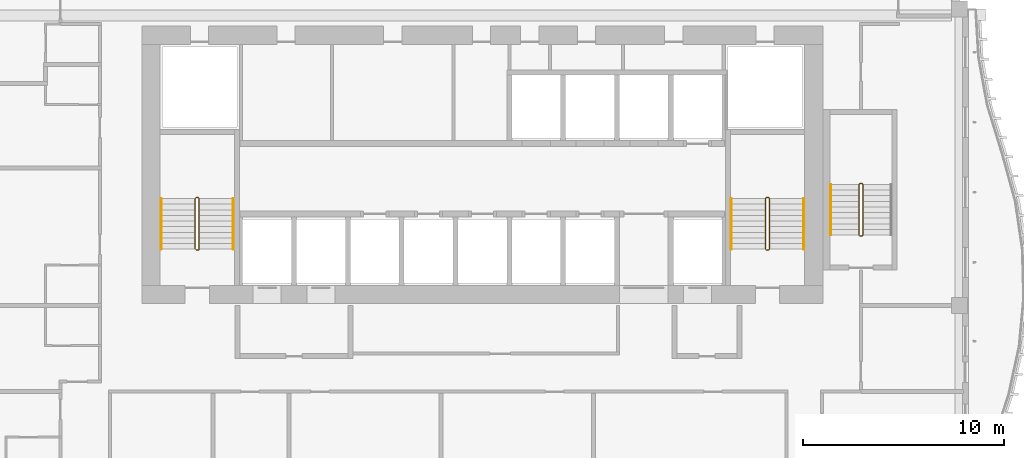
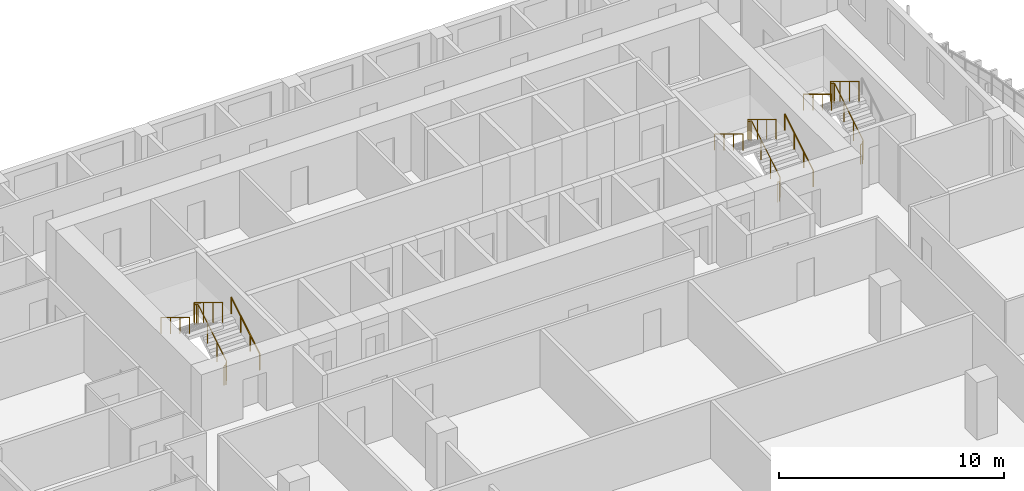
# One storey, part 21 of 22: 8 railings.
"""IFC4 building model written with IfcOpenShell, lengths in metres."""

import ifcopenshell
import ifcopenshell.guid

model = None  # the IFC model being written
_history = None  # IfcOwnerHistory: only IFC2X3 demands one
_inside = {}  # id of a spatial element -> (the spatial element, [elements in it])
_under = {}  # id of a project, library or spatial element -> (it, [spatial elements below it])
_declared = {}  # id of a project -> (the project, [libraries it declares])
_typed = {}  # id of a type object -> (the type object, [elements of that type])
_made_of = {}  # id of a material, layer set ... -> (it, [elements and type objects made of it])


def new_model(schema):
    """Start an empty IFC model of exactly this schema.

    Asked for "IFC4X3", IfcOpenShell would pick the latest addendum, in which some entities
    have other attributes; the version numbers below select the first issue.
    IFC2X3 requires an IfcOwnerHistory on every rooted entity: one is made here for all.
    """
    global model, _history
    if schema == "IFC4X3":
        model = ifcopenshell.file(schema_version=(4, 3, 0, 0))
    else:
        model = ifcopenshell.file(schema=schema)
    _inside.clear()
    _under.clear()
    _declared.clear()
    _typed.clear()
    _made_of.clear()
    _history = None
    if model.schema == "IFC2X3":
        org = make("IfcOrganization", Name="unknown")
        user = make(
            "IfcPersonAndOrganization",
            ThePerson=make("IfcPerson", FamilyName="unknown"),
            TheOrganization=org,
        )
        app = make(
            "IfcApplication",
            ApplicationDeveloper=org,
            Version="unknown",
            ApplicationFullName="unknown",
            ApplicationIdentifier="unknown",
        )
        _history = make(
            "IfcOwnerHistory",
            OwningUser=user,
            OwningApplication=app,
            ChangeAction="ADDED",
            CreationDate=0,
        )
    return model


def make(cls, **values):
    """One entity of the class cls with the attributes given. An attribute that is None is left unset."""
    return model.create_entity(
        cls, **{name: value for name, value in values.items() if value is not None}
    )


def rooted(cls, **values):
    """An entity with a GlobalId (a new one), such as an element, a storey or a relation."""
    return make(cls, GlobalId=ifcopenshell.guid.new(), OwnerHistory=_history, **values)


def si_unit(unit_type, name, prefix=None):
    """IfcSIUnit, for example si_unit("LENGTHUNIT", "METRE", prefix="MILLI")."""
    return make("IfcSIUnit", UnitType=unit_type, Prefix=prefix, Name=name)


def assignment(units):
    """IfcUnitAssignment: the units of a project."""
    return None if units is None else make("IfcUnitAssignment", Units=units)


def point(xyz):
    """IfcCartesianPoint."""
    return None if xyz is None else make("IfcCartesianPoint", Coordinates=xyz)


def direction(xyz):
    """IfcDirection."""
    return None if xyz is None else make("IfcDirection", DirectionRatios=xyz)


def frame(location, z_axis=None, x_axis=None):
    """IfcAxis2Placement3D, a coordinate frame: its origin and axes. An axis left out is left unset."""
    return make(
        "IfcAxis2Placement3D",
        Location=point(location),
        Axis=direction(z_axis),
        RefDirection=direction(x_axis),
    )


def frame_2d(location, x_axis=None):
    """IfcAxis2Placement2D, a coordinate frame in the plane: its origin and x axis."""
    return make(
        "IfcAxis2Placement2D", Location=point(location), RefDirection=direction(x_axis)
    )


def origin():
    """The frame at (0, 0, 0) with its axes left unset."""
    return frame((0.0, 0.0, 0.0))


def origin_2d():
    """The frame at (0, 0) in the plane with its x axis left unset."""
    return frame_2d((0.0, 0.0))


def place(relative_to, where):
    """IfcLocalPlacement: puts the frame where relative to a parent placement (None: the world)."""
    return make(
        "IfcLocalPlacement", PlacementRelTo=relative_to, RelativePlacement=where
    )


def context(
    kind, dimensions, precision=None, world=None, true_north=None, identifier=None
):
    """IfcGeometricRepresentationContext, for example the 3D "Model" context."""
    return make(
        "IfcGeometricRepresentationContext",
        ContextIdentifier=identifier,
        ContextType=kind,
        CoordinateSpaceDimension=dimensions,
        Precision=precision,
        WorldCoordinateSystem=world,
        TrueNorth=true_north,
    )


def subcontext(parent, identifier, kind, view, scale=None):
    """IfcGeometricRepresentationSubContext, for example "Body" below "Model"."""
    return make(
        "IfcGeometricRepresentationSubContext",
        ContextIdentifier=identifier,
        ContextType=kind,
        ParentContext=parent,
        TargetScale=scale,
        TargetView=view,
    )


def project(units=None, contexts=None):
    """IfcProject with its units and contexts."""
    return rooted(
        "IfcProject",
        Name="project",
        RepresentationContexts=contexts,
        UnitsInContext=assignment(units),
    )


def spatial(cls, under=None, at=None, **own):
    """A site, building, storey or space (cls), placed at a placement, below another one or the project."""
    s = rooted(cls, ObjectPlacement=at, **own)
    if under is not None:
        _under.setdefault(under.id(), (under, []))[1].append(s)
    return s


def profile(cls, at=None, kind="AREA", **sizes):
    """A parametric profile (cls). Its sizes go by their IFC names, for example OverallWidth=200.0."""
    return make(cls, ProfileType=kind, Position=at, **sizes)


def circle(**sizes):
    """IfcCircleProfileDef."""
    return profile("IfcCircleProfileDef", **sizes)


def extrude(swept, where, along, depth):
    """IfcExtrudedAreaSolid: the profile swept, set in the frame where, extruded along a direction by depth."""
    return make(
        "IfcExtrudedAreaSolid",
        SweptArea=swept,
        Position=where,
        ExtrudedDirection=direction(along),
        Depth=depth,
    )


def shape(context_of_items, identifier, shape_type, items):
    """IfcShapeRepresentation: the items that make up one representation, for example the "Body"."""
    return make(
        "IfcShapeRepresentation",
        ContextOfItems=context_of_items,
        RepresentationIdentifier=identifier,
        RepresentationType=shape_type,
        Items=items,
    )


def material(Name=None, Category=None):
    """IfcMaterial."""
    return make("IfcMaterial", Name=Name, Category=Category)


def made_of(thing, what):
    """Note that an element or type object is made of a material, layer set ...; save() writes the relation."""
    if what is not None:
        _made_of.setdefault(what.id(), (what, []))[1].append(thing)
    return thing


def type_object(cls, material=None, **own):
    """A type object (cls), such as IfcWallType, which elements share."""
    return made_of(rooted(cls, **own), material)


def element(
    cls,
    number,
    at=None,
    inside=None,
    cuts=None,
    type_object=None,
    material=None,
    context=None,
    identifier="Body",
    shape_type=None,
    held_by="IfcProductDefinitionShape",
    body=None,
    shapes=None,
    **own,
):
    """One element of the class cls, such as IfcWall. Its Tag is "e" and its number.

    at: its placement. inside: the storey or other place that contains it. cuts: it is an
    opening in that element (IfcRelVoidsElement). A single representation is given by context,
    identifier, shape_type and body (its items); several are given by shapes. held_by: the class
    of the entity that holds the representations. save() writes the other relations.
    """
    e = rooted(cls, Tag="e%d" % number, ObjectPlacement=at, **own)
    if body is not None:
        shapes = [shape(context, identifier, shape_type, body)]
    if shapes is not None:
        e.Representation = make(held_by, Representations=shapes)
    if inside is not None:
        _inside.setdefault(inside.id(), (inside, []))[1].append(e)
    if cuts is not None:
        rooted(
            "IfcRelVoidsElement", RelatingBuildingElement=cuts, RelatedOpeningElement=e
        )
    if type_object is not None:
        _typed.setdefault(type_object.id(), (type_object, []))[1].append(e)
    return made_of(e, material)


def aggregate(whole, parts):
    """IfcRelAggregates: a whole, such as a stair, and the parts it consists of."""
    return rooted("IfcRelAggregates", RelatingObject=whole, RelatedObjects=parts)


def save(model, path):
    """Write the relations noted so far, then the file.

    IfcRelAggregates (storeys below a building ...), IfcRelContainedInSpatialStructure (elements
    in a storey), IfcRelDefinesByType, IfcRelAssociatesMaterial and IfcRelDeclares: one each for
    every whole, place, type object, material and project.
    """
    for whole, parts in _under.values():
        aggregate(whole, parts)
    for where, things in _inside.values():
        rooted(
            "IfcRelContainedInSpatialStructure",
            RelatedElements=things,
            RelatingStructure=where,
        )
    for kind, things in _typed.values():
        rooted("IfcRelDefinesByType", RelatedObjects=things, RelatingType=kind)
    for what, things in _made_of.values():
        rooted("IfcRelAssociatesMaterial", RelatedObjects=things, RelatingMaterial=what)
    for by, libraries in _declared.values():
        rooted("IfcRelDeclares", RelatingContext=by, RelatedDefinitions=libraries)
    model.write(path)


model = new_model("IFC4")

# Units and contexts
model_context = context("Model", 3, precision=1e-05, world=origin(), true_north=direction((0.0, 1.0)))
body_context = subcontext(model_context, "Body", "Model", "MODEL_VIEW")
ifc_project = project(units=[si_unit("LENGTHUNIT", "METRE"), si_unit("AREAUNIT", "SQUARE_METRE"), si_unit("VOLUMEUNIT", "CUBIC_METRE"), si_unit("PLANEANGLEUNIT", "RADIAN"), si_unit("MASSUNIT", "GRAM", prefix="KILO")], contexts=[model_context])

# Site, building, storey
site_placement = place(None, origin())
site = spatial("IfcSite", under=ifc_project, at=site_placement, CompositionType="ELEMENT")
building_placement = place(site_placement, origin())
building = spatial("IfcBuilding", under=site, at=building_placement, Name="Kilnfold Tower and Market Hall", CompositionType="ELEMENT")
storey_placement = place(building_placement, frame((0.0, 0.0, 171.89990234375)))
storey = spatial("IfcBuildingStorey", under=building, at=storey_placement, Name="L40", CompositionType="ELEMENT", Elevation=171.89990234375)

# Railings
ifc_material_1 = material(Name="Stainless steel 316", Category="steel")
railing_type_1 = type_object("IfcRailingType", Name="CORE STAIR GUARD 1100", PredefinedType="GUARDRAIL", material=ifc_material_1)
railing_1_placement = place(storey_placement, frame((-13.199951171875, 10.75, 0.0)))
element("IfcRailing", 1, at=railing_1_placement, inside=storey, type_object=railing_type_1, Name="L40 ST1 stair guard 1", PredefinedType="GUARDRAIL", context=body_context, shape_type="SweptSolid", body=[
    extrude(circle(Radius=0.02392578125, at=origin_2d()), frame((0.0, 0.0, 1.076171875), z_axis=(1.0, 0.0, 0.0), x_axis=(0.0, 1.0, 0.0)), (0.0, 0.0, 1.0), 0.099853515625),
    extrude(circle(Radius=0.02392578125, at=origin_2d()), frame((0.099853515625, 0.0, 1.076171875), z_axis=(0.271562723297, 0.271562723297, 0.923313259209), x_axis=(-0.707106781187, 0.707106781187, 0.0)), (0.0, 0.0, 1.0), 0.184326171875),
    extrude(circle(Radius=0.02392578125, at=origin_2d()), frame((0.14990234375, 0.050048828125, 1.24609375), z_axis=(0.0, 0.85478489116, 0.518982456201), x_axis=(-1.0, 0.0, 0.0)), (0.0, 0.0, 1.0), 2.9482421875),
    extrude(circle(Radius=0.02392578125, at=origin_2d()), frame((0.14990234375, 2.570068359375, 2.7763671875), z_axis=(-0.707106781187, 0.707106781187, 0.0), x_axis=(-0.707106781187, -0.707106781187, 0.0)), (0.0, 0.0, 1.0), 0.07080078125),
    extrude(circle(Radius=0.02392578125, at=origin_2d()), frame((0.099853515625, 2.6201171875, 2.7763671875), z_axis=(-1.0, 0.0, 0.0), x_axis=(0.0, -1.0, 0.0)), (0.0, 0.0, 1.0), 0.099853515625),
    extrude(circle(Radius=0.02392578125, at=origin_2d()), frame((0.0, 2.6201171875, 2.7763671875), z_axis=(-0.271895245746, -0.271895245746, 0.923117517265), x_axis=(0.707106781187, -0.707106781187, 0.0)), (0.0, 0.0, 1.0), 0.18408203125),
    extrude(circle(Radius=0.02392578125, at=origin_2d()), frame((-0.050048828125, 2.570068359375, 2.9462890625), z_axis=(0.0, -0.85478489116, 0.518982456201), x_axis=(1.0, 0.0, 0.0)), (0.0, 0.0, 1.0), 2.9482421875),
    extrude(circle(Radius=0.02099609375, at=origin_2d()), origin(), (0.0, 0.0, 1.0), 1.052001953125),
    extrude(circle(Radius=0.02099609375, at=origin_2d()), frame((0.099853515625, 0.0, 0.0)), (0.0, 0.0, 1.0), 1.052001953125),
    extrude(circle(Radius=0.02099609375, at=origin_2d()), frame((0.14990234375, 0.050048828125, 0.170166015625)), (0.0, 0.0, 1.0), 1.052001953125),
    extrude(circle(Radius=0.02099609375, at=origin_2d()), frame((0.14990234375, 0.89013671875, 0.68017578125)), (0.0, 0.0, 1.0), 1.052001953125),
    extrude(circle(Radius=0.02099609375, at=origin_2d()), frame((0.14990234375, 1.72998046875, 1.190185546875)), (0.0, 0.0, 1.0), 1.052001953125),
    extrude(circle(Radius=0.02099609375, at=origin_2d()), frame((0.14990234375, 2.570068359375, 1.7001953125)), (0.0, 0.0, 1.0), 1.052001953125),
    extrude(circle(Radius=0.02099609375, at=origin_2d()), frame((0.099853515625, 2.6201171875, 1.7001953125)), (0.0, 0.0, 1.0), 1.052001953125),
    extrude(circle(Radius=0.02099609375, at=origin_2d()), frame((0.0, 2.6201171875, 1.7001953125)), (0.0, 0.0, 1.0), 1.052001953125),
    extrude(circle(Radius=0.02099609375, at=origin_2d()), frame((-0.050048828125, 2.570068359375, 1.8701171875)), (0.0, 0.0, 1.0), 1.052001953125),
    extrude(circle(Radius=0.02099609375, at=origin_2d()), frame((-0.050048828125, 1.72998046875, 2.380126953125)), (0.0, 0.0, 1.0), 1.052001953125),
    extrude(circle(Radius=0.02099609375, at=origin_2d()), frame((-0.050048828125, 0.89013671875, 2.89013671875)), (0.0, 0.0, 1.0), 1.052001953125),
    extrude(circle(Radius=0.02099609375, at=origin_2d()), frame((-0.050048828125, 0.050048828125, 3.400146484375)), (0.0, 0.0, 1.0), 1.052001953125),
])
railing_2_placement = place(storey_placement, frame((15.199951171875, 10.75, 0.0)))
element("IfcRailing", 2, at=railing_2_placement, inside=storey, type_object=railing_type_1, Name="L40 ST2 stair guard 1", PredefinedType="GUARDRAIL", context=body_context, shape_type="SweptSolid", body=[
    extrude(circle(Radius=0.02392578125, at=origin_2d()), frame((0.0, 0.0, 1.076171875), z_axis=(1.0, 0.0, 0.0), x_axis=(0.0, 1.0, 0.0)), (0.0, 0.0, 1.0), 0.10009765625),
    extrude(circle(Radius=0.02392578125, at=origin_2d()), frame((0.10009765625, 0.0, 1.076171875), z_axis=(0.271562723297, 0.271562723297, 0.923313259209), x_axis=(-0.707106781187, 0.707106781187, 0.0)), (0.0, 0.0, 1.0), 0.184326171875),
    extrude(circle(Radius=0.02392578125, at=origin_2d()), frame((0.150146484375, 0.050048828125, 1.24609375), z_axis=(0.0, 0.85478489116, 0.518982456201), x_axis=(-1.0, 0.0, 0.0)), (0.0, 0.0, 1.0), 2.9482421875),
    extrude(circle(Radius=0.02392578125, at=origin_2d()), frame((0.150146484375, 2.570068359375, 2.7763671875), z_axis=(-0.707106781187, 0.707106781187, 0.0), x_axis=(-0.707106781187, -0.707106781187, 0.0)), (0.0, 0.0, 1.0), 0.07080078125),
    extrude(circle(Radius=0.02392578125, at=origin_2d()), frame((0.10009765625, 2.6201171875, 2.7763671875), z_axis=(-1.0, 0.0, 0.0), x_axis=(0.0, -1.0, 0.0)), (0.0, 0.0, 1.0), 0.10009765625),
    extrude(circle(Radius=0.02392578125, at=origin_2d()), frame((0.0, 2.6201171875, 2.7763671875), z_axis=(-0.271895245746, -0.271895245746, 0.923117517265), x_axis=(0.707106781187, -0.707106781187, 0.0)), (0.0, 0.0, 1.0), 0.18408203125),
    extrude(circle(Radius=0.02392578125, at=origin_2d()), frame((-0.050048828125, 2.570068359375, 2.9462890625), z_axis=(0.0, -0.85478489116, 0.518982456201), x_axis=(1.0, 0.0, 0.0)), (0.0, 0.0, 1.0), 2.9482421875),
    extrude(circle(Radius=0.02099609375, at=origin_2d()), origin(), (0.0, 0.0, 1.0), 1.052001953125),
    extrude(circle(Radius=0.02099609375, at=origin_2d()), frame((0.10009765625, 0.0, 0.0)), (0.0, 0.0, 1.0), 1.052001953125),
    extrude(circle(Radius=0.02099609375, at=origin_2d()), frame((0.150146484375, 0.050048828125, 0.170166015625)), (0.0, 0.0, 1.0), 1.052001953125),
    extrude(circle(Radius=0.02099609375, at=origin_2d()), frame((0.150146484375, 0.89013671875, 0.68017578125)), (0.0, 0.0, 1.0), 1.052001953125),
    extrude(circle(Radius=0.02099609375, at=origin_2d()), frame((0.150146484375, 1.72998046875, 1.190185546875)), (0.0, 0.0, 1.0), 1.052001953125),
    extrude(circle(Radius=0.02099609375, at=origin_2d()), frame((0.150146484375, 2.570068359375, 1.7001953125)), (0.0, 0.0, 1.0), 1.052001953125),
    extrude(circle(Radius=0.02099609375, at=origin_2d()), frame((0.10009765625, 2.6201171875, 1.7001953125)), (0.0, 0.0, 1.0), 1.052001953125),
    extrude(circle(Radius=0.02099609375, at=origin_2d()), frame((0.0, 2.6201171875, 1.7001953125)), (0.0, 0.0, 1.0), 1.052001953125),
    extrude(circle(Radius=0.02099609375, at=origin_2d()), frame((-0.050048828125, 2.570068359375, 1.8701171875)), (0.0, 0.0, 1.0), 1.052001953125),
    extrude(circle(Radius=0.02099609375, at=origin_2d()), frame((-0.050048828125, 1.72998046875, 2.380126953125)), (0.0, 0.0, 1.0), 1.052001953125),
    extrude(circle(Radius=0.02099609375, at=origin_2d()), frame((-0.050048828125, 0.89013671875, 2.89013671875)), (0.0, 0.0, 1.0), 1.052001953125),
    extrude(circle(Radius=0.02099609375, at=origin_2d()), frame((-0.050048828125, 0.050048828125, 3.400146484375)), (0.0, 0.0, 1.0), 1.052001953125),
])
railing_3_placement = place(storey_placement, frame((19.85009765625, 11.449951171875, 0.0)))
element("IfcRailing", 3, at=railing_3_placement, inside=storey, type_object=railing_type_1, Name="L40 ST5 stair guard 1", PredefinedType="GUARDRAIL", context=body_context, shape_type="SweptSolid", body=[
    extrude(circle(Radius=0.02392578125, at=origin_2d()), frame((0.0, 0.0, 1.076171875), z_axis=(1.0, 0.0, 0.0), x_axis=(0.0, 1.0, 0.0)), (0.0, 0.0, 1.0), 0.099853515625),
    extrude(circle(Radius=0.02392578125, at=origin_2d()), frame((0.099853515625, 0.0, 1.076171875), z_axis=(0.271562723297, 0.271562723297, 0.923313259209), x_axis=(-0.707106781187, 0.707106781187, 0.0)), (0.0, 0.0, 1.0), 0.184326171875),
    extrude(circle(Radius=0.02392578125, at=origin_2d()), frame((0.14990234375, 0.050048828125, 1.24609375), z_axis=(0.0, 0.85478489116, 0.518982456201), x_axis=(-1.0, 0.0, 0.0)), (0.0, 0.0, 1.0), 2.9482421875),
    extrude(circle(Radius=0.02392578125, at=origin_2d()), frame((0.14990234375, 2.570068359375, 2.7763671875), z_axis=(-0.707106781187, 0.707106781187, 0.0), x_axis=(-0.707106781187, -0.707106781187, 0.0)), (0.0, 0.0, 1.0), 0.07080078125),
    extrude(circle(Radius=0.02392578125, at=origin_2d()), frame((0.099853515625, 2.6201171875, 2.7763671875), z_axis=(-1.0, 0.0, 0.0), x_axis=(0.0, -1.0, 0.0)), (0.0, 0.0, 1.0), 0.099853515625),
    extrude(circle(Radius=0.02392578125, at=origin_2d()), frame((0.0, 2.6201171875, 2.7763671875), z_axis=(-0.271895245746, -0.271895245746, 0.923117517265), x_axis=(0.707106781187, -0.707106781187, 0.0)), (0.0, 0.0, 1.0), 0.18408203125),
    extrude(circle(Radius=0.02392578125, at=origin_2d()), frame((-0.050048828125, 2.570068359375, 2.9462890625), z_axis=(0.0, -0.85478489116, 0.518982456201), x_axis=(1.0, 0.0, 0.0)), (0.0, 0.0, 1.0), 2.9482421875),
    extrude(circle(Radius=0.02099609375, at=origin_2d()), origin(), (0.0, 0.0, 1.0), 1.052001953125),
    extrude(circle(Radius=0.02099609375, at=origin_2d()), frame((0.099853515625, 0.0, 0.0)), (0.0, 0.0, 1.0), 1.052001953125),
    extrude(circle(Radius=0.02099609375, at=origin_2d()), frame((0.14990234375, 0.050048828125, 0.170166015625)), (0.0, 0.0, 1.0), 1.052001953125),
    extrude(circle(Radius=0.02099609375, at=origin_2d()), frame((0.14990234375, 0.89013671875, 0.68017578125)), (0.0, 0.0, 1.0), 1.052001953125),
    extrude(circle(Radius=0.02099609375, at=origin_2d()), frame((0.14990234375, 1.72998046875, 1.190185546875)), (0.0, 0.0, 1.0), 1.052001953125),
    extrude(circle(Radius=0.02099609375, at=origin_2d()), frame((0.14990234375, 2.570068359375, 1.7001953125)), (0.0, 0.0, 1.0), 1.052001953125),
    extrude(circle(Radius=0.02099609375, at=origin_2d()), frame((0.099853515625, 2.6201171875, 1.7001953125)), (0.0, 0.0, 1.0), 1.052001953125),
    extrude(circle(Radius=0.02099609375, at=origin_2d()), frame((0.0, 2.6201171875, 1.7001953125)), (0.0, 0.0, 1.0), 1.052001953125),
    extrude(circle(Radius=0.02099609375, at=origin_2d()), frame((-0.050048828125, 2.570068359375, 1.8701171875)), (0.0, 0.0, 1.0), 1.052001953125),
    extrude(circle(Radius=0.02099609375, at=origin_2d()), frame((-0.050048828125, 1.72998046875, 2.380126953125)), (0.0, 0.0, 1.0), 1.052001953125),
    extrude(circle(Radius=0.02099609375, at=origin_2d()), frame((-0.050048828125, 0.89013671875, 2.89013671875)), (0.0, 0.0, 1.0), 1.052001953125),
    extrude(circle(Radius=0.02099609375, at=origin_2d()), frame((-0.050048828125, 0.050048828125, 3.400146484375)), (0.0, 0.0, 1.0), 1.052001953125),
])
ifc_material_2 = material(Name="Stainless steel 316", Category="steel")
railing_type_2 = type_object("IfcRailingType", Name="CORE STAIR HANDRAIL 900", PredefinedType="HANDRAIL", material=ifc_material_2)
railing_4_placement = place(storey_placement, frame((-11.35009765625, 10.800048828125, 0.170166015625)))
element("IfcRailing", 4, at=railing_4_placement, inside=storey, type_object=railing_type_2, Name="L40 ST1 stair handrail 1", PredefinedType="HANDRAIL", context=body_context, shape_type="SweptSolid", body=[
    extrude(circle(Radius=0.02392578125, at=origin_2d()), frame((0.0, 0.0, 0.8759765625), z_axis=(0.0, 0.85478489116, 0.518982456201), x_axis=(-1.0, 0.0, 0.0)), (0.0, 0.0, 1.0), 2.9482421875),
    extrude(circle(Radius=0.02099609375, at=origin_2d()), origin(), (0.0, 0.0, 1.0), 0.851806640625),
    extrude(circle(Radius=0.02099609375, at=origin_2d()), frame((0.0, 0.840087890625, 0.510009765625)), (0.0, 0.0, 1.0), 0.851806640625),
    extrude(circle(Radius=0.02099609375, at=origin_2d()), frame((0.0, 1.679931640625, 1.02001953125)), (0.0, 0.0, 1.0), 0.851806640625),
    extrude(circle(Radius=0.02099609375, at=origin_2d()), frame((0.0, 2.52001953125, 1.530029296875)), (0.0, 0.0, 1.0), 0.851806640625),
])
railing_5_placement = place(storey_placement, frame((-14.949951171875, 13.320068359375, 1.8701171875)))
element("IfcRailing", 5, at=railing_5_placement, inside=storey, type_object=railing_type_2, Name="L40 ST1 stair handrail 2", PredefinedType="HANDRAIL", context=body_context, shape_type="SweptSolid", body=[
    extrude(circle(Radius=0.02392578125, at=origin_2d()), frame((0.0, 0.0, 0.8759765625), z_axis=(0.0, -0.85478489116, 0.518982456201), x_axis=(1.0, 0.0, 0.0)), (0.0, 0.0, 1.0), 2.9482421875),
    extrude(circle(Radius=0.02099609375, at=origin_2d()), origin(), (0.0, 0.0, 1.0), 0.851806640625),
    extrude(circle(Radius=0.02099609375, at=origin_2d()), frame((0.0, -0.840087890625, 0.510009765625)), (0.0, 0.0, 1.0), 0.851806640625),
    extrude(circle(Radius=0.02099609375, at=origin_2d()), frame((0.0, -1.679931640625, 1.02001953125)), (0.0, 0.0, 1.0), 0.851806640625),
    extrude(circle(Radius=0.02099609375, at=origin_2d()), frame((0.0, -2.52001953125, 1.530029296875)), (0.0, 0.0, 1.0), 0.851806640625),
])
railing_6_placement = place(storey_placement, frame((17.050048828125, 10.800048828125, 0.170166015625)))
element("IfcRailing", 6, at=railing_6_placement, inside=storey, type_object=railing_type_2, Name="L40 ST2 stair handrail 1", PredefinedType="HANDRAIL", context=body_context, shape_type="SweptSolid", body=[
    extrude(circle(Radius=0.02392578125, at=origin_2d()), frame((0.0, 0.0, 0.8759765625), z_axis=(0.0, 0.85478489116, 0.518982456201), x_axis=(-1.0, 0.0, 0.0)), (0.0, 0.0, 1.0), 2.9482421875),
    extrude(circle(Radius=0.02099609375, at=origin_2d()), origin(), (0.0, 0.0, 1.0), 0.851806640625),
    extrude(circle(Radius=0.02099609375, at=origin_2d()), frame((0.0, 0.840087890625, 0.510009765625)), (0.0, 0.0, 1.0), 0.851806640625),
    extrude(circle(Radius=0.02099609375, at=origin_2d()), frame((0.0, 1.679931640625, 1.02001953125)), (0.0, 0.0, 1.0), 0.851806640625),
    extrude(circle(Radius=0.02099609375, at=origin_2d()), frame((0.0, 2.52001953125, 1.530029296875)), (0.0, 0.0, 1.0), 0.851806640625),
])
for number, where, name in (
    (7, (13.449951171875, 13.320068359375, 1.8701171875), "L40 ST2 stair handrail 2"),
    (8, (18.39990234375, 14.02001953125, 1.8701171875), "L40 ST5 stair handrail 2"),
):
    element("IfcRailing", number, at=place(storey_placement, frame(where)), inside=storey, type_object=railing_type_2, Name=name, PredefinedType="HANDRAIL", context=body_context, shape_type="SweptSolid", body=[
        extrude(circle(Radius=0.02392578125, at=origin_2d()), frame((0.0, 0.0, 0.8759765625), z_axis=(0.0, -0.85478489116, 0.518982456201), x_axis=(1.0, 0.0, 0.0)), (0.0, 0.0, 1.0), 2.9482421875),
        extrude(circle(Radius=0.02099609375, at=origin_2d()), origin(), (0.0, 0.0, 1.0), 0.851806640625),
        extrude(circle(Radius=0.02099609375, at=origin_2d()), frame((0.0, -0.840087890625, 0.510009765625)), (0.0, 0.0, 1.0), 0.851806640625),
        extrude(circle(Radius=0.02099609375, at=origin_2d()), frame((0.0, -1.679931640625, 1.02001953125)), (0.0, 0.0, 1.0), 0.851806640625),
        extrude(circle(Radius=0.02099609375, at=origin_2d()), frame((0.0, -2.52001953125, 1.530029296875)), (0.0, 0.0, 1.0), 0.851806640625),
    ])

save(model, "model.ifc")
